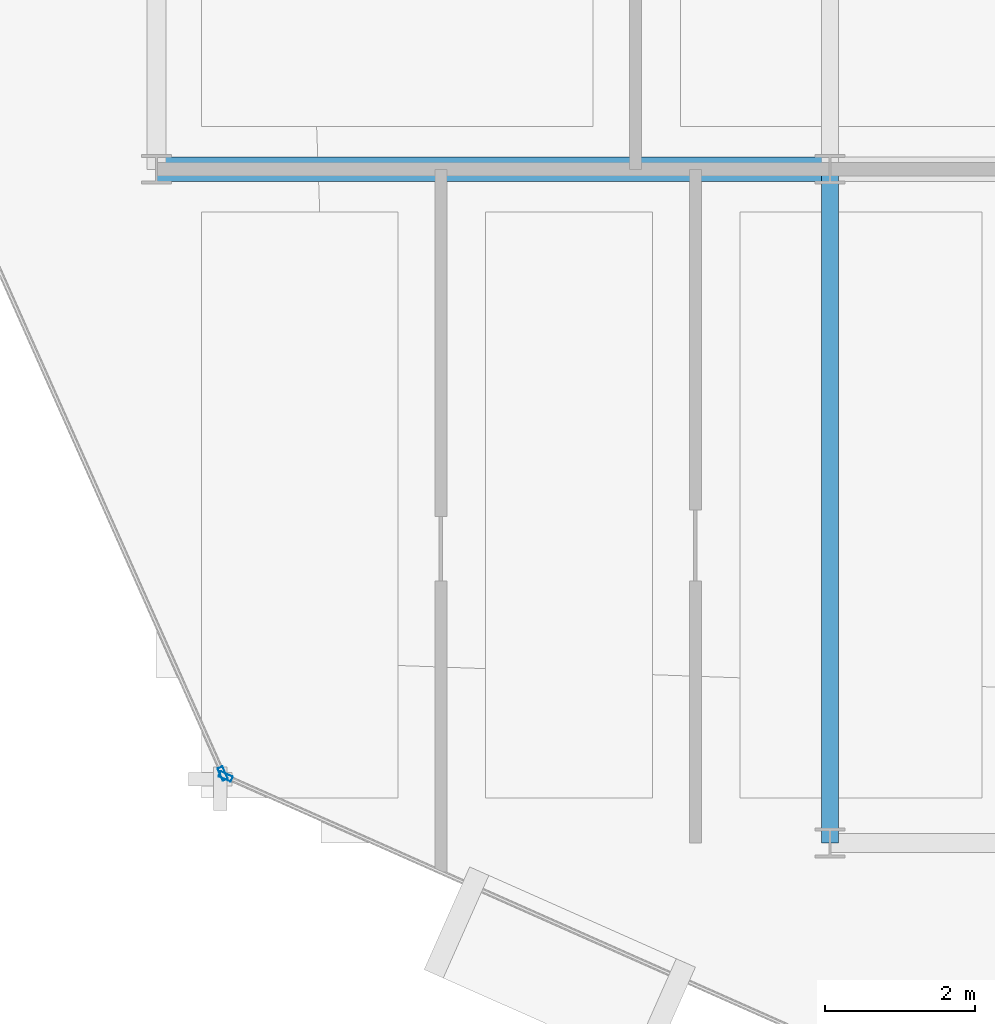
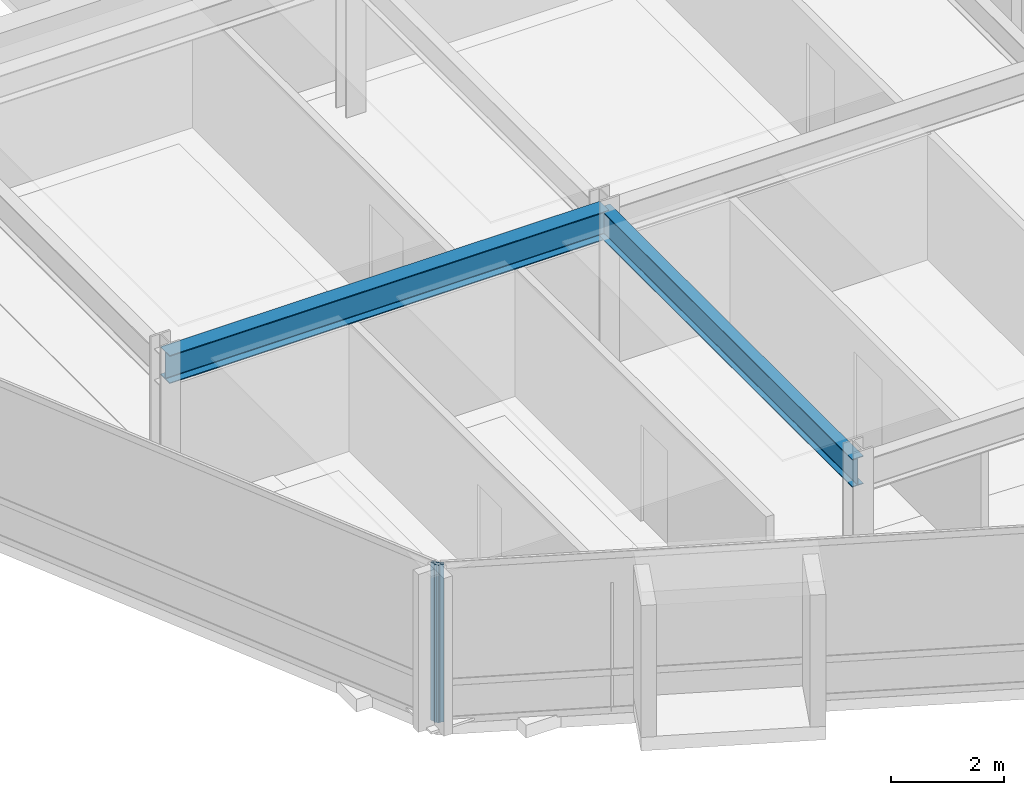
# One storey, part 2 of 27: 2 beams, 2 members, 2 elements without a shape of their own.
"""IFC4 building model written with IfcOpenShell, lengths in metres."""

import ifcopenshell
import ifcopenshell.guid

model = None  # the IFC model being written
_history = None  # IfcOwnerHistory: only IFC2X3 demands one
_inside = {}  # id of a spatial element -> (the spatial element, [elements in it])
_under = {}  # id of a project, library or spatial element -> (it, [spatial elements below it])
_declared = {}  # id of a project -> (the project, [libraries it declares])
_typed = {}  # id of a type object -> (the type object, [elements of that type])
_made_of = {}  # id of a material, layer set ... -> (it, [elements and type objects made of it])


def new_model(schema):
    """Start an empty IFC model of exactly this schema.

    Asked for "IFC4X3", IfcOpenShell would pick the latest addendum, in which some entities
    have other attributes; the version numbers below select the first issue.
    IFC2X3 requires an IfcOwnerHistory on every rooted entity: one is made here for all.
    """
    global model, _history
    if schema == "IFC4X3":
        model = ifcopenshell.file(schema_version=(4, 3, 0, 0))
    else:
        model = ifcopenshell.file(schema=schema)
    _inside.clear()
    _under.clear()
    _declared.clear()
    _typed.clear()
    _made_of.clear()
    _history = None
    if model.schema == "IFC2X3":
        org = make("IfcOrganization", Name="unknown")
        user = make(
            "IfcPersonAndOrganization",
            ThePerson=make("IfcPerson", FamilyName="unknown"),
            TheOrganization=org,
        )
        app = make(
            "IfcApplication",
            ApplicationDeveloper=org,
            Version="unknown",
            ApplicationFullName="unknown",
            ApplicationIdentifier="unknown",
        )
        _history = make(
            "IfcOwnerHistory",
            OwningUser=user,
            OwningApplication=app,
            ChangeAction="ADDED",
            CreationDate=0,
        )
    return model


def make(cls, **values):
    """One entity of the class cls with the attributes given. An attribute that is None is left unset."""
    return model.create_entity(
        cls, **{name: value for name, value in values.items() if value is not None}
    )


def rooted(cls, **values):
    """An entity with a GlobalId (a new one), such as an element, a storey or a relation."""
    return make(cls, GlobalId=ifcopenshell.guid.new(), OwnerHistory=_history, **values)


def si_unit(unit_type, name, prefix=None):
    """IfcSIUnit, for example si_unit("LENGTHUNIT", "METRE", prefix="MILLI")."""
    return make("IfcSIUnit", UnitType=unit_type, Prefix=prefix, Name=name)


def assignment(units):
    """IfcUnitAssignment: the units of a project."""
    return None if units is None else make("IfcUnitAssignment", Units=units)


def point(xyz):
    """IfcCartesianPoint."""
    return None if xyz is None else make("IfcCartesianPoint", Coordinates=xyz)


def direction(xyz):
    """IfcDirection."""
    return None if xyz is None else make("IfcDirection", DirectionRatios=xyz)


def frame(location, z_axis=None, x_axis=None):
    """IfcAxis2Placement3D, a coordinate frame: its origin and axes. An axis left out is left unset."""
    return make(
        "IfcAxis2Placement3D",
        Location=point(location),
        Axis=direction(z_axis),
        RefDirection=direction(x_axis),
    )


def frame_2d(location, x_axis=None):
    """IfcAxis2Placement2D, a coordinate frame in the plane: its origin and x axis."""
    return make(
        "IfcAxis2Placement2D", Location=point(location), RefDirection=direction(x_axis)
    )


def origin():
    """The frame at (0, 0, 0) with its axes left unset."""
    return frame((0.0, 0.0, 0.0))


def origin_2d():
    """The frame at (0, 0) in the plane with its x axis left unset."""
    return frame_2d((0.0, 0.0))


def place(relative_to, where):
    """IfcLocalPlacement: puts the frame where relative to a parent placement (None: the world)."""
    return make(
        "IfcLocalPlacement", PlacementRelTo=relative_to, RelativePlacement=where
    )


def context(
    kind, dimensions, precision=None, world=None, true_north=None, identifier=None
):
    """IfcGeometricRepresentationContext, for example the 3D "Model" context."""
    return make(
        "IfcGeometricRepresentationContext",
        ContextIdentifier=identifier,
        ContextType=kind,
        CoordinateSpaceDimension=dimensions,
        Precision=precision,
        WorldCoordinateSystem=world,
        TrueNorth=true_north,
    )


def subcontext(parent, identifier, kind, view, scale=None):
    """IfcGeometricRepresentationSubContext, for example "Body" below "Model"."""
    return make(
        "IfcGeometricRepresentationSubContext",
        ContextIdentifier=identifier,
        ContextType=kind,
        ParentContext=parent,
        TargetScale=scale,
        TargetView=view,
    )


def project(units=None, contexts=None):
    """IfcProject with its units and contexts."""
    return rooted(
        "IfcProject",
        Name="project",
        RepresentationContexts=contexts,
        UnitsInContext=assignment(units),
    )


def spatial(cls, under=None, at=None, **own):
    """A site, building, storey or space (cls), placed at a placement, below another one or the project."""
    s = rooted(cls, ObjectPlacement=at, **own)
    if under is not None:
        _under.setdefault(under.id(), (under, []))[1].append(s)
    return s


def profile(cls, at=None, kind="AREA", **sizes):
    """A parametric profile (cls). Its sizes go by their IFC names, for example OverallWidth=200.0."""
    return make(cls, ProfileType=kind, Position=at, **sizes)


def hollow_rectangle(**sizes):
    """IfcRectangleHollowProfileDef."""
    return profile("IfcRectangleHollowProfileDef", **sizes)


def i_section(**sizes):
    """IfcIShapeProfileDef."""
    return profile("IfcIShapeProfileDef", **sizes)


def extrude(swept, where, along, depth):
    """IfcExtrudedAreaSolid: the profile swept, set in the frame where, extruded along a direction by depth."""
    return make(
        "IfcExtrudedAreaSolid",
        SweptArea=swept,
        Position=where,
        ExtrudedDirection=direction(along),
        Depth=depth,
    )


def shape(context_of_items, identifier, shape_type, items):
    """IfcShapeRepresentation: the items that make up one representation, for example the "Body"."""
    return make(
        "IfcShapeRepresentation",
        ContextOfItems=context_of_items,
        RepresentationIdentifier=identifier,
        RepresentationType=shape_type,
        Items=items,
    )


def material(Name=None, Category=None):
    """IfcMaterial."""
    return make("IfcMaterial", Name=Name, Category=Category)


def layer(
    of_material, thickness, ventilated=None, Name=None, Category=None, Priority=None
):
    """IfcMaterialLayer: one layer of a wall or slab, of a material (None: an air gap)."""
    return make(
        "IfcMaterialLayer",
        Material=of_material,
        LayerThickness=thickness,
        IsVentilated=ventilated,
        Name=Name,
        Category=Category,
        Priority=Priority,
    )


def layer_set(layers, Name=None):
    """IfcMaterialLayerSet."""
    return make("IfcMaterialLayerSet", MaterialLayers=layers, LayerSetName=Name)


def material_profile(
    of_material, cross_section, Name=None, Category=None, Priority=None
):
    """IfcMaterialProfile: a cross section and its material."""
    return make(
        "IfcMaterialProfile",
        Name=Name,
        Material=of_material,
        Profile=cross_section,
        Priority=Priority,
        Category=Category,
    )


def profile_set(profiles, Name=None, composite=None):
    """IfcMaterialProfileSet."""
    return make(
        "IfcMaterialProfileSet",
        Name=Name,
        MaterialProfiles=profiles,
        CompositeProfile=composite,
    )


def made_of(thing, what):
    """Note that an element or type object is made of a material, layer set ...; save() writes the relation."""
    if what is not None:
        _made_of.setdefault(what.id(), (what, []))[1].append(thing)
    return thing


def type_object(cls, material=None, **own):
    """A type object (cls), such as IfcWallType, which elements share."""
    return made_of(rooted(cls, **own), material)


def element(
    cls,
    number,
    at=None,
    inside=None,
    cuts=None,
    type_object=None,
    material=None,
    context=None,
    identifier="Body",
    shape_type=None,
    held_by="IfcProductDefinitionShape",
    body=None,
    shapes=None,
    **own,
):
    """One element of the class cls, such as IfcWall. Its Tag is "e" and its number.

    at: its placement. inside: the storey or other place that contains it. cuts: it is an
    opening in that element (IfcRelVoidsElement). A single representation is given by context,
    identifier, shape_type and body (its items); several are given by shapes. held_by: the class
    of the entity that holds the representations. save() writes the other relations.
    """
    e = rooted(cls, Tag="e%d" % number, ObjectPlacement=at, **own)
    if body is not None:
        shapes = [shape(context, identifier, shape_type, body)]
    if shapes is not None:
        e.Representation = make(held_by, Representations=shapes)
    if inside is not None:
        _inside.setdefault(inside.id(), (inside, []))[1].append(e)
    if cuts is not None:
        rooted(
            "IfcRelVoidsElement", RelatingBuildingElement=cuts, RelatedOpeningElement=e
        )
    if type_object is not None:
        _typed.setdefault(type_object.id(), (type_object, []))[1].append(e)
    return made_of(e, material)


def aggregate(whole, parts):
    """IfcRelAggregates: a whole, such as a stair, and the parts it consists of."""
    return rooted("IfcRelAggregates", RelatingObject=whole, RelatedObjects=parts)


def save(model, path):
    """Write the relations noted so far, then the file.

    IfcRelAggregates (storeys below a building ...), IfcRelContainedInSpatialStructure (elements
    in a storey), IfcRelDefinesByType, IfcRelAssociatesMaterial and IfcRelDeclares: one each for
    every whole, place, type object, material and project.
    """
    for whole, parts in _under.values():
        aggregate(whole, parts)
    for where, things in _inside.values():
        rooted(
            "IfcRelContainedInSpatialStructure",
            RelatedElements=things,
            RelatingStructure=where,
        )
    for kind, things in _typed.values():
        rooted("IfcRelDefinesByType", RelatedObjects=things, RelatingType=kind)
    for what, things in _made_of.values():
        rooted("IfcRelAssociatesMaterial", RelatedObjects=things, RelatingMaterial=what)
    for by, libraries in _declared.values():
        rooted("IfcRelDeclares", RelatingContext=by, RelatedDefinitions=libraries)
    model.write(path)


model = new_model("IFC4")

# Units and contexts
model_context = context("Model", 3, precision=1e-05, world=origin(), true_north=direction((0.0, 1.0)))
body_context = subcontext(model_context, "Body", "Model", "MODEL_VIEW")
ifc_project = project(units=[si_unit("LENGTHUNIT", "METRE"), si_unit("AREAUNIT", "SQUARE_METRE"), si_unit("VOLUMEUNIT", "CUBIC_METRE"), si_unit("PLANEANGLEUNIT", "RADIAN"), si_unit("MASSUNIT", "GRAM", prefix="KILO")], contexts=[model_context])

# Site, building, storey
site_placement = place(None, origin())
site = spatial("IfcSite", under=ifc_project, at=site_placement, CompositionType="ELEMENT")
building_placement = place(site_placement, origin())
building = spatial("IfcBuilding", under=site, at=building_placement, Name="Solvaryn Broadcast Tower", CompositionType="ELEMENT")
storey_placement = place(building_placement, frame((0.0, 0.0, 224.699951171875)))
storey = spatial("IfcBuildingStorey", under=building, at=storey_placement, Name="L56", CompositionType="ELEMENT", Elevation=224.699951171875)

# Beams
ifc_material_1 = material(Name="Steel ASTM A992 Grade 50", Category="steel")
ifc_material_profile_1 = material_profile(ifc_material_1, i_section(OverallWidth=0.323974609375, OverallDepth=0.611083984375, WebThickness=0.0126953125, FlangeThickness=0.01904296875, FilletRadius=0.014892578125, at=origin_2d()))
ifc_profile_set_1 = profile_set([ifc_material_profile_1], Name="Steel ASTM A992 Grade 50")
beam_type_1 = type_object("IfcBeamType", Name="BM-B1-W24X104", PredefinedType="BEAM", material=ifc_profile_set_1)
beam_1_placement = place(storey_placement, frame((9.0, 18.0, 3.114501953125), z_axis=(1.0, 0.0, 0.0), x_axis=(0.0, 1.0, 0.0)))
element("IfcBeam", 1, at=beam_1_placement, inside=storey, type_object=beam_type_1, Name="L56 Primary Beam X (9-18 @ Y=18)", PredefinedType="BEAM", context=body_context, shape_type="SweptSolid", body=[
    extrude(i_section(OverallWidth=0.323974609375, OverallDepth=0.611083984375, WebThickness=0.0126953125, FlangeThickness=0.01904296875, FilletRadius=0.014892578125, at=origin_2d()), origin(), (0.0, 0.0, 1.0), 9.0),
])
ifc_material_2 = material(Name="Steel ASTM A992 Grade 50", Category="steel")
ifc_material_profile_2 = material_profile(ifc_material_2, i_section(OverallWidth=0.22802734375, OverallDepth=0.60791015625, WebThickness=0.01123046875, FlangeThickness=0.017333984375, FilletRadius=0.014892578125, at=origin_2d()))
ifc_profile_set_2 = profile_set([ifc_material_profile_2], Name="Steel ASTM A992 Grade 50")
beam_type_2 = type_object("IfcBeamType", Name="BM-B2-W24X76", PredefinedType="BEAM", material=ifc_profile_set_2)
beam_2_placement = place(storey_placement, frame((18.0, 9.0, 3.115966796875), z_axis=(0.0, 1.0, 0.0), x_axis=(-1.0, 0.0, 0.0)))
element("IfcBeam", 2, at=beam_2_placement, inside=storey, type_object=beam_type_2, Name="L56 Primary Beam Y (9-18 @ X=18)", PredefinedType="BEAM", context=body_context, shape_type="SweptSolid", body=[
    extrude(i_section(OverallWidth=0.22802734375, OverallDepth=0.60791015625, WebThickness=0.01123046875, FlangeThickness=0.017333984375, FilletRadius=0.014892578125, at=origin_2d()), origin(), (0.0, 0.0, 1.0), 9.0),
])

# Curtain wall, member
ifc_material_3 = material(Name="Aluminium and Terracotta Unitised Curtain Wall", Category="masonry")
ifc_layer = layer(ifc_material_3, 0.199951171875)
ifc_layer_set = layer_set([ifc_layer], Name="CW-SYS2-LOWMID")
curtain_wall_type = type_object("IfcCurtainWallType", Name="CW-SYS2-LOWMID", PredefinedType="NOTDEFINED", material=ifc_layer_set)
curtain_wall_1_placement = place(storey_placement, origin())
curtain_wall_1 = element("IfcCurtainWall", 3, at=curtain_wall_1_placement, inside=storey, type_object=curtain_wall_type, Name="L56 Curtain Wall DR2", PredefinedType="NOTDEFINED")
ifc_material_4 = material(Name="Anodised Aluminium 6063-T6", Category="aluminium")
ifc_material_profile_3 = material_profile(ifc_material_4, hollow_rectangle(XDim=0.074951171875, YDim=0.179931640625, WallThickness=0.00390625, InnerFilletRadius=0.00390625, OuterFilletRadius=0.008056640625, at=origin_2d()))
ifc_profile_set_3 = profile_set([ifc_material_profile_3], Name="Anodised Aluminium 6063-T6")
member_type = type_object("IfcMemberType", Name="CW-MUL-180", PredefinedType="MULLION", material=ifc_profile_set_3)
member_1_placement = place(storey_placement, frame((9.8857421875, 9.925537109375, 0.0), z_axis=(0.0, 0.0, 1.0), x_axis=(0.913916902365, 0.405901337237, 0.0)))
member_1 = element("IfcMember", 4, at=member_1_placement, type_object=member_type, Name="CWS2 mullion 2", PredefinedType="MULLION", context=body_context, shape_type="SweptSolid", body=[
    extrude(hollow_rectangle(XDim=0.074951171875, YDim=0.179931640625, WallThickness=0.00390625, InnerFilletRadius=0.00390625, OuterFilletRadius=0.008056640625, at=origin_2d()), origin(), (0.0, 0.0, 1.0), 3.420166015625),
])
aggregate(curtain_wall_1, [member_1])

curtain_wall_2_placement = place(storey_placement, origin())
curtain_wall_2 = element("IfcCurtainWall", 5, at=curtain_wall_2_placement, inside=storey, type_object=curtain_wall_type, Name="L56 Curtain Wall DR3", PredefinedType="NOTDEFINED")
member_2_placement = place(storey_placement, frame((9.925537109375, 9.8857421875, 0.0), z_axis=(0.0, 0.0, 1.0), x_axis=(0.405901337237, 0.913916902365, 0.0)))
member_2 = element("IfcMember", 6, at=member_2_placement, type_object=member_type, Name="CWS2 mullion 1", PredefinedType="MULLION", context=body_context, shape_type="SweptSolid", body=[
    extrude(hollow_rectangle(XDim=0.074951171875, YDim=0.179931640625, WallThickness=0.00390625, InnerFilletRadius=0.00390625, OuterFilletRadius=0.008056640625, at=origin_2d()), origin(), (0.0, 0.0, 1.0), 3.420166015625),
])
aggregate(curtain_wall_2, [member_2])

save(model, "model.ifc")
